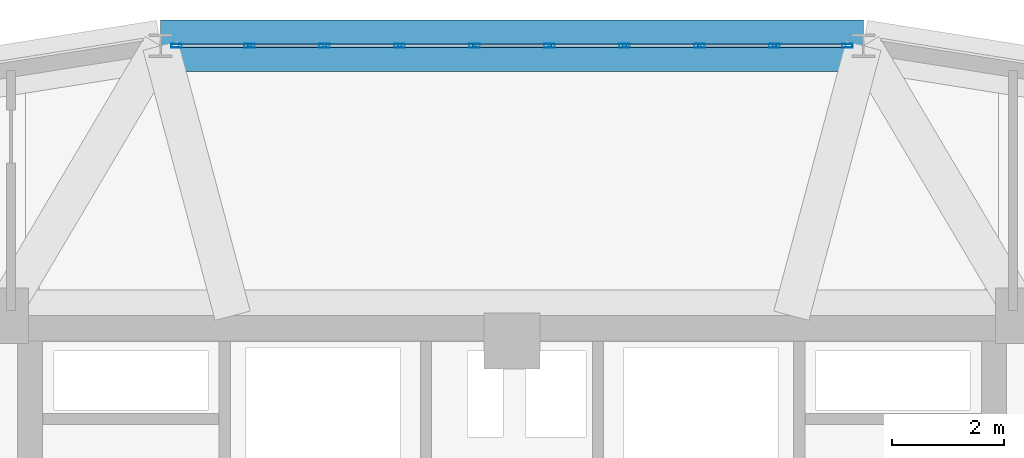
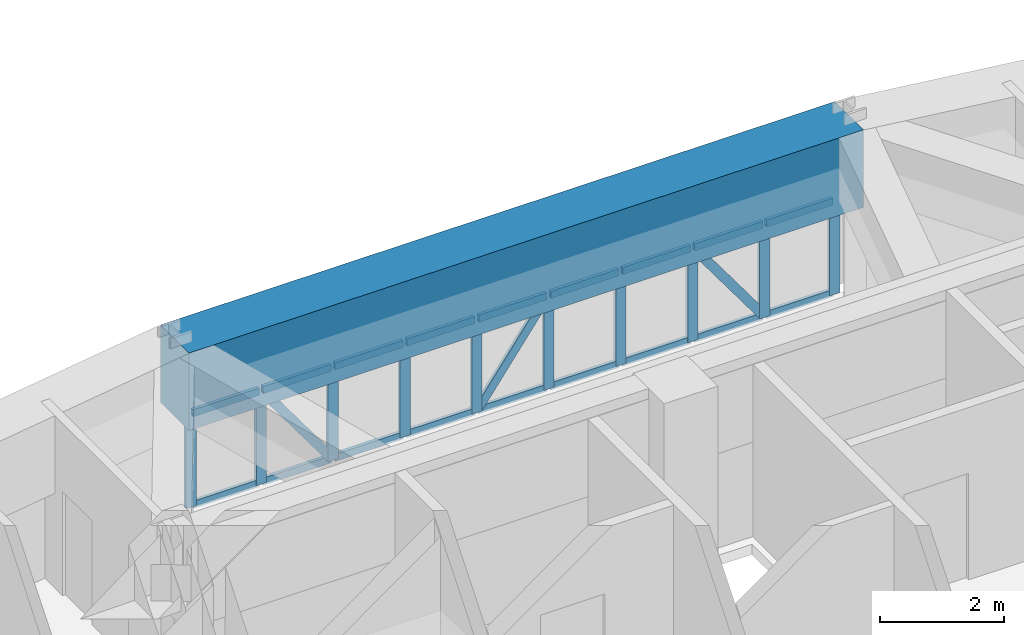
# One storey, part 8 of 14: 31 members, 1 beam, 1 element without a shape of its own.
"""IFC4 building model written with IfcOpenShell, lengths in metres."""

from ifc_helpers import new_model, si_unit, derived_unit, direction, frame, origin, origin_2d, place, context, subcontext, project, spatial, rectangle, hollow_rectangle, extrude, source, transform, mapped, material, layer, layer_set, material_profile, profile_set, type_object, element, aggregate, save


model = new_model("IFC4")

# Units and contexts
model_context = context("Model", 3, precision=1e-05, world=origin(), true_north=direction((0.0, 1.0)))
body_context = subcontext(model_context, "Body", "Model", "MODEL_VIEW")
ifc_project = project(units=[si_unit("LENGTHUNIT", "METRE"), si_unit("AREAUNIT", "SQUARE_METRE"), si_unit("VOLUMEUNIT", "CUBIC_METRE"), si_unit("PLANEANGLEUNIT", "RADIAN"), si_unit("MASSUNIT", "GRAM", prefix="KILO"), derived_unit("THERMALTRANSMITTANCEUNIT", [(si_unit("POWERUNIT", "WATT"), 1), (si_unit("LENGTHUNIT", "METRE"), -2), (si_unit("THERMODYNAMICTEMPERATUREUNIT", "KELVIN"), -1)])], contexts=[model_context])

# Site, building, storey
site_placement = place(None, origin())
site = spatial("IfcSite", under=ifc_project, at=site_placement, CompositionType="ELEMENT")
building_placement = place(site_placement, origin())
building = spatial("IfcBuilding", under=site, at=building_placement, Name="Korsvarv Bourse and Concert Hall", CompositionType="ELEMENT")
storey_placement = place(building_placement, frame((0.0, 0.0, 186.60009765625)))
storey = spatial("IfcBuildingStorey", under=building, at=storey_placement, Name="L48", CompositionType="ELEMENT", Elevation=186.60009765625)

# Beam
ifc_material_1 = material(Name="Concrete C50/60", Category="concrete")
ifc_material_profile_1 = material_profile(ifc_material_1, rectangle(XDim=0.919921875, YDim=1.530029296875, at=origin_2d()), Name="RC-BM 920x1530")
ifc_profile_set_1 = profile_set([ifc_material_profile_1], Name="Concrete C50/60")
beam_type = type_object("IfcBeamType", Name="BM-TR-154", PredefinedType="BEAM", material=ifc_profile_set_1)
shared_shape_1 = source(origin(), body_context, "Body", "SweptSolid", [
    extrude(rectangle(XDim=0.919921875, YDim=1.530029296875, at=origin_2d()), origin(), (0.0, 0.0, 1.0), 12.57861328125),
])
beam_placement = place(storey_placement, frame((42.289306640625, 52.082275390625, 2.635009765625), z_axis=(-1.0, 0.0, 0.0), x_axis=(0.0, -1.0, 0.0)))
element("IfcBeam", 1, at=beam_placement, inside=storey, type_object=beam_type, Name="L48 beam B-TR6", PredefinedType="BEAM", context=body_context, shape_type="MappedRepresentation", body=[
    mapped(shared_shape_1, transform((0.0, 0.0, 0.0), scale=1.0)),
])

# Curtain wall, members
ifc_material_2 = material(Name="Anodised aluminium and triple low-E glazing", Category="glass")
ifc_layer = layer(ifc_material_2, 0.199951171875)
ifc_layer_set = layer_set([ifc_layer], Name="Anodised aluminium and triple low-E glazing")
curtain_wall_type = type_object("IfcCurtainWallType", Name="CW-SYS-3", PredefinedType="NOTDEFINED", material=ifc_layer_set)
curtain_wall_placement = place(storey_placement, origin())
curtain_wall = element("IfcCurtainWall", 2, at=curtain_wall_placement, inside=storey, type_object=curtain_wall_type, Name="L48 CW3 curtain wall CW-L48-F03", PredefinedType="NOTDEFINED")
ifc_material_3 = material(Name="Extruded aluminium EN AW-6063 T66", Category="aluminium")
ifc_material_profile_2 = material_profile(ifc_material_3, hollow_rectangle(XDim=0.070068359375, YDim=0.18994140625, WallThickness=0.0048828125, at=origin_2d()), Name="ALU-M 70x190")
ifc_profile_set_2 = profile_set([ifc_material_profile_2], Name="Extruded aluminium EN AW-6063 T66")
member_type_1 = type_object("IfcMemberType", Name="CWM-190", PredefinedType="MULLION", material=ifc_profile_set_2)
shared_shape_2 = source(origin(), body_context, "Body", "SweptSolid", [
    extrude(hollow_rectangle(XDim=0.070068359375, YDim=0.18994140625, WallThickness=0.0048828125, at=origin_2d()), origin(), (0.0, 0.0, 1.0), 1.869873046875),
])
member_1_placement = place(storey_placement, frame((42.001220703125, 52.082275390625, 0.0), z_axis=(0.0, 0.0, 1.0), x_axis=(0.0, -1.0, 0.0)))
member_1 = element("IfcMember", 3, at=member_1_placement, type_object=member_type_1, Name="CW3 mullion 1", PredefinedType="MULLION", context=body_context, shape_type="MappedRepresentation", body=[
    mapped(shared_shape_2, transform((0.0, 0.0, 0.0), scale=1.0)),
])
member_2_placement = place(storey_placement, frame((40.69482421875, 52.082275390625, 0.0), z_axis=(0.0, 0.0, 1.0), x_axis=(0.0, -1.0, 0.0)))
member_2 = element("IfcMember", 4, at=member_2_placement, type_object=member_type_1, Name="CW3 mullion 2", PredefinedType="MULLION", context=body_context, shape_type="MappedRepresentation", body=[
    mapped(shared_shape_2, transform((0.0, 0.0, 0.0), scale=1.0)),
])
member_3_placement = place(storey_placement, frame((39.353515625, 52.082275390625, 0.0), z_axis=(0.0, 0.0, 1.0), x_axis=(0.0, -1.0, 0.0)))
member_3 = element("IfcMember", 5, at=member_3_placement, type_object=member_type_1, Name="CW3 mullion 3", PredefinedType="MULLION", context=body_context, shape_type="MappedRepresentation", body=[
    mapped(shared_shape_2, transform((0.0, 0.0, 0.0), scale=1.0)),
])
member_4_placement = place(storey_placement, frame((38.01220703125, 52.082275390625, 0.0), z_axis=(0.0, 0.0, 1.0), x_axis=(0.0, -1.0, 0.0)))
member_4 = element("IfcMember", 6, at=member_4_placement, type_object=member_type_1, Name="CW3 mullion 4", PredefinedType="MULLION", context=body_context, shape_type="MappedRepresentation", body=[
    mapped(shared_shape_2, transform((0.0, 0.0, 0.0), scale=1.0)),
])
member_5_placement = place(storey_placement, frame((36.670654296875, 52.082275390625, 0.0), z_axis=(0.0, 0.0, 1.0), x_axis=(0.0, -1.0, 0.0)))
member_5 = element("IfcMember", 7, at=member_5_placement, type_object=member_type_1, Name="CW3 mullion 5", PredefinedType="MULLION", context=body_context, shape_type="MappedRepresentation", body=[
    mapped(shared_shape_2, transform((0.0, 0.0, 0.0), scale=1.0)),
])
member_6_placement = place(storey_placement, frame((35.329345703125, 52.082275390625, 0.0), z_axis=(0.0, 0.0, 1.0), x_axis=(0.0, -1.0, 0.0)))
member_6 = element("IfcMember", 8, at=member_6_placement, type_object=member_type_1, Name="CW3 mullion 6", PredefinedType="MULLION", context=body_context, shape_type="MappedRepresentation", body=[
    mapped(shared_shape_2, transform((0.0, 0.0, 0.0), scale=1.0)),
])
member_7_placement = place(storey_placement, frame((33.98779296875, 52.082275390625, 0.0), z_axis=(0.0, 0.0, 1.0), x_axis=(0.0, -1.0, 0.0)))
member_7 = element("IfcMember", 9, at=member_7_placement, type_object=member_type_1, Name="CW3 mullion 7", PredefinedType="MULLION", context=body_context, shape_type="MappedRepresentation", body=[
    mapped(shared_shape_2, transform((0.0, 0.0, 0.0), scale=1.0)),
])
member_8_placement = place(storey_placement, frame((32.646484375, 52.082275390625, 0.0), z_axis=(0.0, 0.0, 1.0), x_axis=(0.0, -1.0, 0.0)))
member_8 = element("IfcMember", 10, at=member_8_placement, type_object=member_type_1, Name="CW3 mullion 8", PredefinedType="MULLION", context=body_context, shape_type="MappedRepresentation", body=[
    mapped(shared_shape_2, transform((0.0, 0.0, 0.0), scale=1.0)),
])
member_9_placement = place(storey_placement, frame((31.30517578125, 52.082275390625, 0.0), z_axis=(0.0, 0.0, 1.0), x_axis=(0.0, -1.0, 0.0)))
member_9 = element("IfcMember", 11, at=member_9_placement, type_object=member_type_1, Name="CW3 mullion 9", PredefinedType="MULLION", context=body_context, shape_type="MappedRepresentation", body=[
    mapped(shared_shape_2, transform((0.0, 0.0, 0.0), scale=1.0)),
])
member_10_placement = place(storey_placement, frame((29.998779296875, 52.082275390625, 0.0), z_axis=(0.0, 0.0, 1.0), x_axis=(0.0, -1.0, 0.0)))
member_10 = element("IfcMember", 12, at=member_10_placement, type_object=member_type_1, Name="CW3 mullion 10", PredefinedType="MULLION", context=body_context, shape_type="MappedRepresentation", body=[
    mapped(shared_shape_2, transform((0.0, 0.0, 0.0), scale=1.0)),
])
ifc_material_profile_3 = material_profile(ifc_material_3, hollow_rectangle(XDim=0.06494140625, YDim=0.139892578125, WallThickness=0.00390625, at=origin_2d()), Name="ALU-T 65x140")
ifc_profile_set_3 = profile_set([ifc_material_profile_3], Name="Extruded aluminium EN AW-6063 T66")
member_type_2 = type_object("IfcMemberType", Name="CWT-140", PredefinedType="USERDEFINED", material=ifc_profile_set_3)
shared_shape_3 = source(origin(), body_context, "Body", "SweptSolid", [
    extrude(hollow_rectangle(XDim=0.06494140625, YDim=0.139892578125, WallThickness=0.00390625, at=origin_2d()), origin(), (0.0, 0.0, 1.0), 1.236328125),
])
member_11_placement = place(storey_placement, frame((41.96630859375, 52.082275390625, 0.032470703125), z_axis=(-1.0, 0.0, 0.0), x_axis=(0.0, -1.0, 0.0)))
member_11 = element("IfcMember", 13, at=member_11_placement, type_object=member_type_2, Name="CW3 transom 1.1", ObjectType="TRANSOM", PredefinedType="USERDEFINED", context=body_context, shape_type="MappedRepresentation", body=[
    mapped(shared_shape_3, transform((0.0, 0.0, 0.0), scale=1.0)),
])
member_12_placement = place(storey_placement, frame((41.96630859375, 52.082275390625, 1.83740234375), z_axis=(-1.0, 0.0, 0.0), x_axis=(0.0, -1.0, 0.0)))
member_12 = element("IfcMember", 14, at=member_12_placement, type_object=member_type_2, Name="CW3 transom 1.2", ObjectType="TRANSOM", PredefinedType="USERDEFINED", context=body_context, shape_type="MappedRepresentation", body=[
    mapped(shared_shape_3, transform((0.0, 0.0, 0.0), scale=1.0)),
])
member_13_placement = place(storey_placement, frame((31.27001953125, 52.082275390625, 0.032470703125), z_axis=(-1.0, 0.0, 0.0), x_axis=(0.0, -1.0, 0.0)))
member_13 = element("IfcMember", 15, at=member_13_placement, type_object=member_type_2, Name="CW3 transom 9.1", ObjectType="TRANSOM", PredefinedType="USERDEFINED", context=body_context, shape_type="MappedRepresentation", body=[
    mapped(shared_shape_3, transform((0.0, 0.0, 0.0), scale=1.0)),
])
member_14_placement = place(storey_placement, frame((31.27001953125, 52.082275390625, 1.83740234375), z_axis=(-1.0, 0.0, 0.0), x_axis=(0.0, -1.0, 0.0)))
member_14 = element("IfcMember", 16, at=member_14_placement, type_object=member_type_2, Name="CW3 transom 9.2", ObjectType="TRANSOM", PredefinedType="USERDEFINED", context=body_context, shape_type="MappedRepresentation", body=[
    mapped(shared_shape_3, transform((0.0, 0.0, 0.0), scale=1.0)),
])
shared_shape_4 = source(origin(), body_context, "Body", "SweptSolid", [
    extrude(hollow_rectangle(XDim=0.06494140625, YDim=0.139892578125, WallThickness=0.00390625, at=origin_2d()), origin(), (0.0, 0.0, 1.0), 1.271484375),
])
member_15_placement = place(storey_placement, frame((40.659912109375, 52.082275390625, 0.032470703125), z_axis=(-1.0, 0.0, 0.0), x_axis=(0.0, -1.0, 0.0)))
member_15 = element("IfcMember", 17, at=member_15_placement, type_object=member_type_2, Name="CW3 transom 2.1", ObjectType="TRANSOM", PredefinedType="USERDEFINED", context=body_context, shape_type="MappedRepresentation", body=[
    mapped(shared_shape_4, transform((0.0, 0.0, 0.0), scale=1.0)),
])
member_16_placement = place(storey_placement, frame((40.659912109375, 52.082275390625, 1.83740234375), z_axis=(-1.0, 0.0, 0.0), x_axis=(0.0, -1.0, 0.0)))
member_16 = element("IfcMember", 18, at=member_16_placement, type_object=member_type_2, Name="CW3 transom 2.2", ObjectType="TRANSOM", PredefinedType="USERDEFINED", context=body_context, shape_type="MappedRepresentation", body=[
    mapped(shared_shape_4, transform((0.0, 0.0, 0.0), scale=1.0)),
])
member_17_placement = place(storey_placement, frame((39.318603515625, 52.082275390625, 0.032470703125), z_axis=(-1.0, 0.0, 0.0), x_axis=(0.0, -1.0, 0.0)))
member_17 = element("IfcMember", 19, at=member_17_placement, type_object=member_type_2, Name="CW3 transom 3.1", ObjectType="TRANSOM", PredefinedType="USERDEFINED", context=body_context, shape_type="MappedRepresentation", body=[
    mapped(shared_shape_4, transform((0.0, 0.0, 0.0), scale=1.0)),
])
member_18_placement = place(storey_placement, frame((39.318603515625, 52.082275390625, 1.83740234375), z_axis=(-1.0, 0.0, 0.0), x_axis=(0.0, -1.0, 0.0)))
member_18 = element("IfcMember", 20, at=member_18_placement, type_object=member_type_2, Name="CW3 transom 3.2", ObjectType="TRANSOM", PredefinedType="USERDEFINED", context=body_context, shape_type="MappedRepresentation", body=[
    mapped(shared_shape_4, transform((0.0, 0.0, 0.0), scale=1.0)),
])
member_19_placement = place(storey_placement, frame((36.6357421875, 52.082275390625, 0.032470703125), z_axis=(-1.0, 0.0, 0.0), x_axis=(0.0, -1.0, 0.0)))
member_19 = element("IfcMember", 21, at=member_19_placement, type_object=member_type_2, Name="CW3 transom 5.1", ObjectType="TRANSOM", PredefinedType="USERDEFINED", context=body_context, shape_type="MappedRepresentation", body=[
    mapped(shared_shape_4, transform((0.0, 0.0, 0.0), scale=1.0)),
])
member_20_placement = place(storey_placement, frame((36.6357421875, 52.082275390625, 1.83740234375), z_axis=(-1.0, 0.0, 0.0), x_axis=(0.0, -1.0, 0.0)))
member_20 = element("IfcMember", 22, at=member_20_placement, type_object=member_type_2, Name="CW3 transom 5.2", ObjectType="TRANSOM", PredefinedType="USERDEFINED", context=body_context, shape_type="MappedRepresentation", body=[
    mapped(shared_shape_4, transform((0.0, 0.0, 0.0), scale=1.0)),
])
member_21_placement = place(storey_placement, frame((33.952880859375, 52.082275390625, 0.032470703125), z_axis=(-1.0, 0.0, 0.0), x_axis=(0.0, -1.0, 0.0)))
member_21 = element("IfcMember", 23, at=member_21_placement, type_object=member_type_2, Name="CW3 transom 7.1", ObjectType="TRANSOM", PredefinedType="USERDEFINED", context=body_context, shape_type="MappedRepresentation", body=[
    mapped(shared_shape_4, transform((0.0, 0.0, 0.0), scale=1.0)),
])
member_22_placement = place(storey_placement, frame((33.952880859375, 52.082275390625, 1.83740234375), z_axis=(-1.0, 0.0, 0.0), x_axis=(0.0, -1.0, 0.0)))
member_22 = element("IfcMember", 24, at=member_22_placement, type_object=member_type_2, Name="CW3 transom 7.2", ObjectType="TRANSOM", PredefinedType="USERDEFINED", context=body_context, shape_type="MappedRepresentation", body=[
    mapped(shared_shape_4, transform((0.0, 0.0, 0.0), scale=1.0)),
])
member_23_placement = place(storey_placement, frame((32.611572265625, 52.082275390625, 0.032470703125), z_axis=(-1.0, 0.0, 0.0), x_axis=(0.0, -1.0, 0.0)))
member_23 = element("IfcMember", 25, at=member_23_placement, type_object=member_type_2, Name="CW3 transom 8.1", ObjectType="TRANSOM", PredefinedType="USERDEFINED", context=body_context, shape_type="MappedRepresentation", body=[
    mapped(shared_shape_4, transform((0.0, 0.0, 0.0), scale=1.0)),
])
member_24_placement = place(storey_placement, frame((32.611572265625, 52.082275390625, 1.83740234375), z_axis=(-1.0, 0.0, 0.0), x_axis=(0.0, -1.0, 0.0)))
member_24 = element("IfcMember", 26, at=member_24_placement, type_object=member_type_2, Name="CW3 transom 8.2", ObjectType="TRANSOM", PredefinedType="USERDEFINED", context=body_context, shape_type="MappedRepresentation", body=[
    mapped(shared_shape_4, transform((0.0, 0.0, 0.0), scale=1.0)),
])
ifc_material_profile_4 = material_profile(ifc_material_3, hollow_rectangle(XDim=0.06494140625, YDim=0.1650390625, WallThickness=0.0048828125, at=origin_2d()), Name="ALU-M 65x165")
ifc_profile_set_4 = profile_set([ifc_material_profile_4], Name="Extruded aluminium EN AW-6063 T66")
member_type_3 = type_object("IfcMemberType", Name="CWM-165", PredefinedType="MULLION", material=ifc_profile_set_4)
shared_shape_5 = source(origin(), body_context, "Body", "SweptSolid", [
    extrude(hollow_rectangle(XDim=0.06494140625, YDim=0.1650390625, WallThickness=0.0048828125, at=origin_2d()), origin(), (0.0, 0.0, 1.0), 2.155029296875),
])
member_25_placement = place(storey_placement, frame((40.659912109375, 52.082275390625, 0.06494140625), z_axis=(-0.59000238732, 0.0, 0.807401500467), x_axis=(0.0, -1.0, 0.0)))
member_25 = element("IfcMember", 27, at=member_25_placement, type_object=member_type_3, Name="CW3 diagonal mullion 2", PredefinedType="MULLION", context=body_context, shape_type="MappedRepresentation", body=[
    mapped(shared_shape_5, transform((0.0, 0.0, 0.0), scale=1.0)),
])
member_26_placement = place(storey_placement, frame((35.3642578125, 52.082275390625, 0.06494140625), z_axis=(0.59000238732, 0.0, 0.807401500467), x_axis=(0.0, 1.0, 0.0)))
member_26 = element("IfcMember", 28, at=member_26_placement, type_object=member_type_3, Name="CW3 diagonal mullion 5", PredefinedType="MULLION", context=body_context, shape_type="MappedRepresentation", body=[
    mapped(shared_shape_5, transform((0.0, 0.0, 0.0), scale=1.0)),
])
member_27_placement = place(storey_placement, frame((32.611572265625, 52.082275390625, 0.06494140625), z_axis=(-0.59000238732, 0.0, 0.807401500467), x_axis=(0.0, -1.0, 0.0)))
member_27 = element("IfcMember", 29, at=member_27_placement, type_object=member_type_3, Name="CW3 diagonal mullion 8", PredefinedType="MULLION", context=body_context, shape_type="MappedRepresentation", body=[
    mapped(shared_shape_5, transform((0.0, 0.0, 0.0), scale=1.0)),
])
shared_shape_6 = source(origin(), body_context, "Body", "SweptSolid", [
    extrude(hollow_rectangle(XDim=0.06494140625, YDim=0.139892578125, WallThickness=0.00390625, at=origin_2d()), origin(), (0.0, 0.0, 1.0), 1.271240234375),
])
member_28_placement = place(storey_placement, frame((37.97705078125, 52.082275390625, 0.032470703125), z_axis=(-1.0, 0.0, 0.0), x_axis=(0.0, -1.0, 0.0)))
member_28 = element("IfcMember", 30, at=member_28_placement, type_object=member_type_2, Name="CW3 transom 4.1", ObjectType="TRANSOM", PredefinedType="USERDEFINED", context=body_context, shape_type="MappedRepresentation", body=[
    mapped(shared_shape_6, transform((0.0, 0.0, 0.0), scale=1.0)),
])
member_29_placement = place(storey_placement, frame((37.97705078125, 52.082275390625, 1.83740234375), z_axis=(-1.0, 0.0, 0.0), x_axis=(0.0, -1.0, 0.0)))
member_29 = element("IfcMember", 31, at=member_29_placement, type_object=member_type_2, Name="CW3 transom 4.2", ObjectType="TRANSOM", PredefinedType="USERDEFINED", context=body_context, shape_type="MappedRepresentation", body=[
    mapped(shared_shape_6, transform((0.0, 0.0, 0.0), scale=1.0)),
])
member_30_placement = place(storey_placement, frame((35.294189453125, 52.082275390625, 0.032470703125), z_axis=(-1.0, 0.0, 0.0), x_axis=(0.0, -1.0, 0.0)))
member_30 = element("IfcMember", 32, at=member_30_placement, type_object=member_type_2, Name="CW3 transom 6.1", ObjectType="TRANSOM", PredefinedType="USERDEFINED", context=body_context, shape_type="MappedRepresentation", body=[
    mapped(shared_shape_6, transform((0.0, 0.0, 0.0), scale=1.0)),
])
member_31_placement = place(storey_placement, frame((35.294189453125, 52.082275390625, 1.83740234375), z_axis=(-1.0, 0.0, 0.0), x_axis=(0.0, -1.0, 0.0)))
member_31 = element("IfcMember", 33, at=member_31_placement, type_object=member_type_2, Name="CW3 transom 6.2", ObjectType="TRANSOM", PredefinedType="USERDEFINED", context=body_context, shape_type="MappedRepresentation", body=[
    mapped(shared_shape_6, transform((0.0, 0.0, 0.0), scale=1.0)),
])
aggregate(curtain_wall, [member_1, member_2, member_3, member_4, member_5, member_6, member_7, member_8, member_9, member_10, member_11, member_12, member_15, member_16, member_25, member_17, member_18, member_28, member_29, member_19, member_20, member_26, member_30, member_31, member_21, member_22, member_23, member_24, member_27, member_13, member_14])

save(model, "model.ifc")
